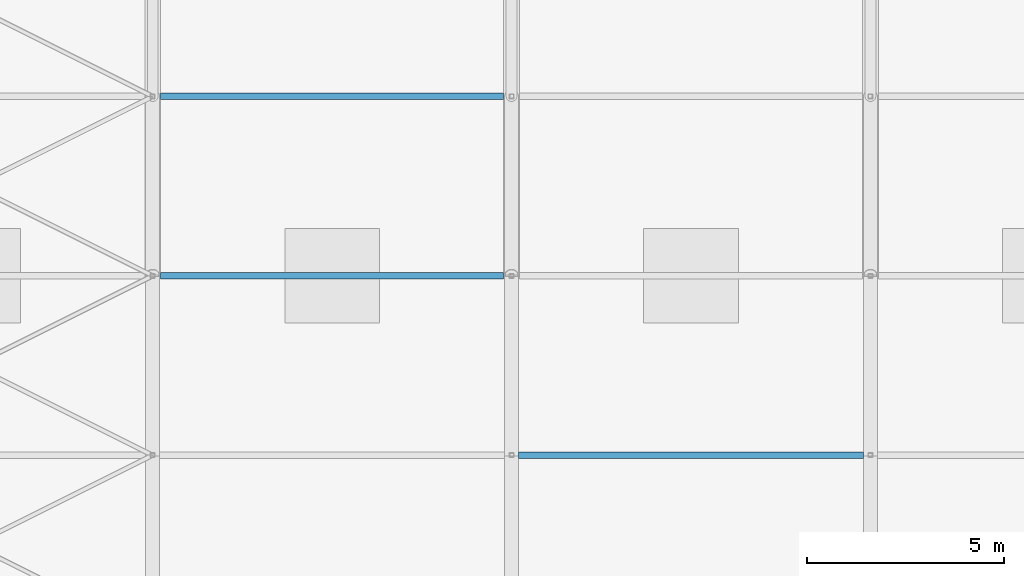
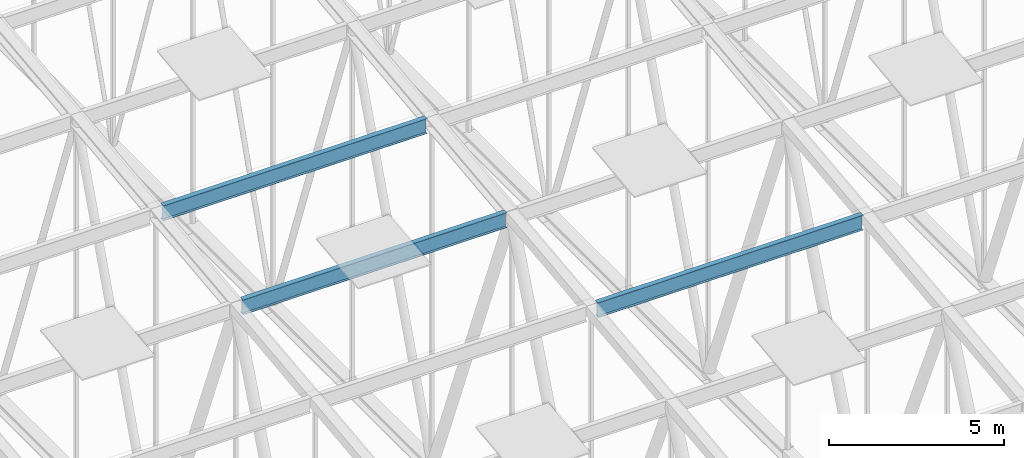
# One storey, part 130 of 500: 3 members.
"""IFC4 building model written with IfcOpenShell, lengths in metres."""

from ifc_helpers import new_model, si_unit, direction, frame, origin, origin_2d, place, context, subcontext, project, spatial, i_section, extrude, material, material_profile, profile_set, type_object, element, save


model = new_model("IFC4")

# Units and contexts
model_context = context("Model", 3, precision=1e-05, world=origin(), true_north=direction((0.0, 1.0)))
body_context = subcontext(model_context, "Body", "Model", "MODEL_VIEW")
ifc_project = project(units=[si_unit("LENGTHUNIT", "METRE"), si_unit("AREAUNIT", "SQUARE_METRE"), si_unit("VOLUMEUNIT", "CUBIC_METRE"), si_unit("PLANEANGLEUNIT", "RADIAN"), si_unit("MASSUNIT", "GRAM", prefix="KILO")], contexts=[model_context])

# Site, building, storey
site_placement = place(None, origin())
site = spatial("IfcSite", under=ifc_project, at=site_placement, CompositionType="ELEMENT")
building_placement = place(site_placement, origin())
building = spatial("IfcBuilding", under=site, at=building_placement, Name="Shirokan Park Arena", CompositionType="ELEMENT")
storey_placement = place(building_placement, frame((0.0, 0.0, 29.1201171875)))
storey = spatial("IfcBuildingStorey", under=building, at=storey_placement, Name="L06", CompositionType="ELEMENT", Elevation=29.1201171875)

# Members
ifc_material = material(Name="Steel ASTM A992", Category="steel")
ifc_material_profile = material_profile(ifc_material, i_section(OverallWidth=0.166015625, OverallDepth=0.528076171875, WebThickness=0.009765625, FlangeThickness=0.013671875, at=origin_2d()), Name="W530X74")
ifc_profile_set = profile_set([ifc_material_profile], Name="Steel ASTM A992")
member_type = type_object("IfcMemberType", Name="Purlin W530X74", PredefinedType="PURLIN", material=ifc_profile_set)
member_placement = place(storey_placement, frame((63.8779296875, 27.300048828125, 15.60595703125), z_axis=(1.0, 0.0, 0.0), x_axis=(0.0, 1.0, 0.0)))
element("IfcMember", 1, at=member_placement, inside=storey, type_object=member_type, Name="Purlin 9 bay 8", PredefinedType="PURLIN", context=body_context, shape_type="SweptSolid", body=[
    extrude(i_section(OverallWidth=0.166015625, OverallDepth=0.528076171875, WebThickness=0.009765625, FlangeThickness=0.013671875, at=origin_2d()), origin(), (0.0, 0.0, 1.0), 8.744140625),
])
for number, where, z_axis, x_axis, name in (
    (2, (54.800537109375, 31.85009765625, 16.1259765625), (1.0, 0.0, 0.0), (0.0, 1.0, 0.0), "Purlin 10 bay 7"),
    (3, (54.800537109375, 36.39990234375, 16.64599609375), (1.0, 0.0, 0.0), (0.0, 1.0, 0.0), "Purlin 11 bay 7"),
):
    element("IfcMember", number, at=place(storey_placement, frame(where, z_axis=z_axis, x_axis=x_axis)), inside=storey, type_object=member_type, Name=name, PredefinedType="PURLIN", context=body_context, shape_type="SweptSolid", body=[
        extrude(i_section(OverallWidth=0.166015625, OverallDepth=0.528076171875, WebThickness=0.009765625, FlangeThickness=0.013671875, at=origin_2d()), origin(), (0.0, 0.0, 1.0), 8.698974609375),
    ])

save(model, "model.ifc")
